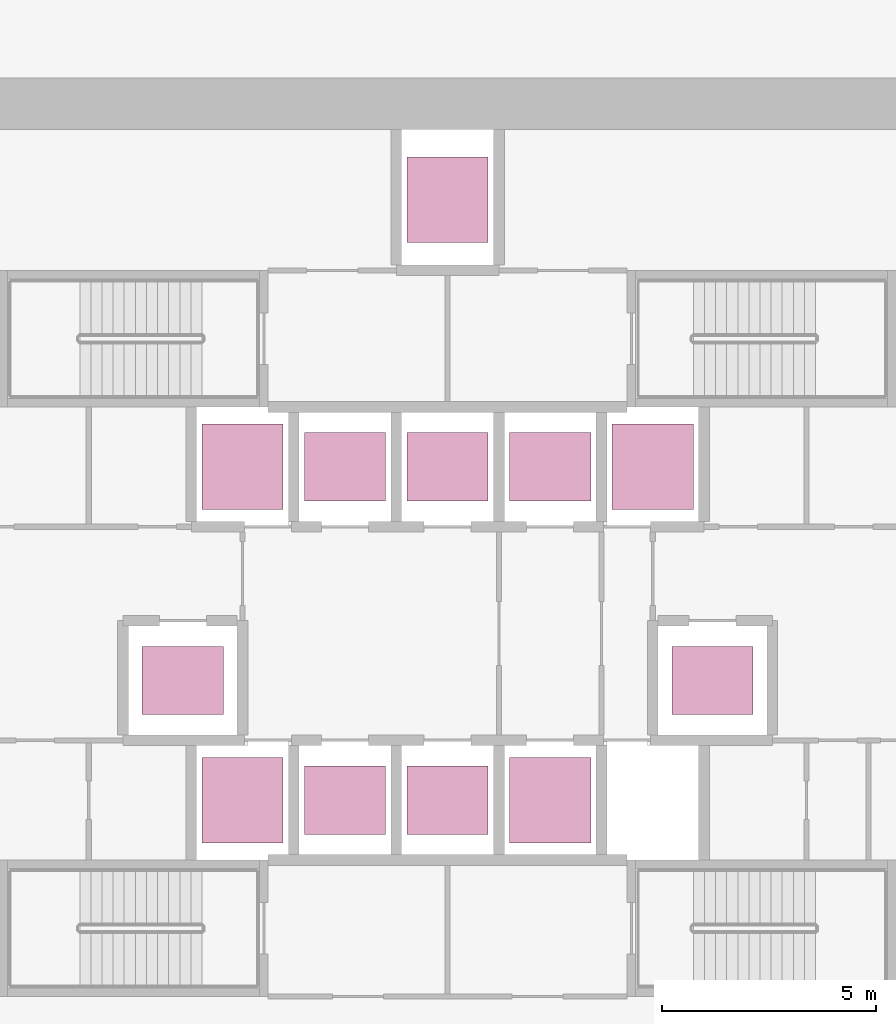
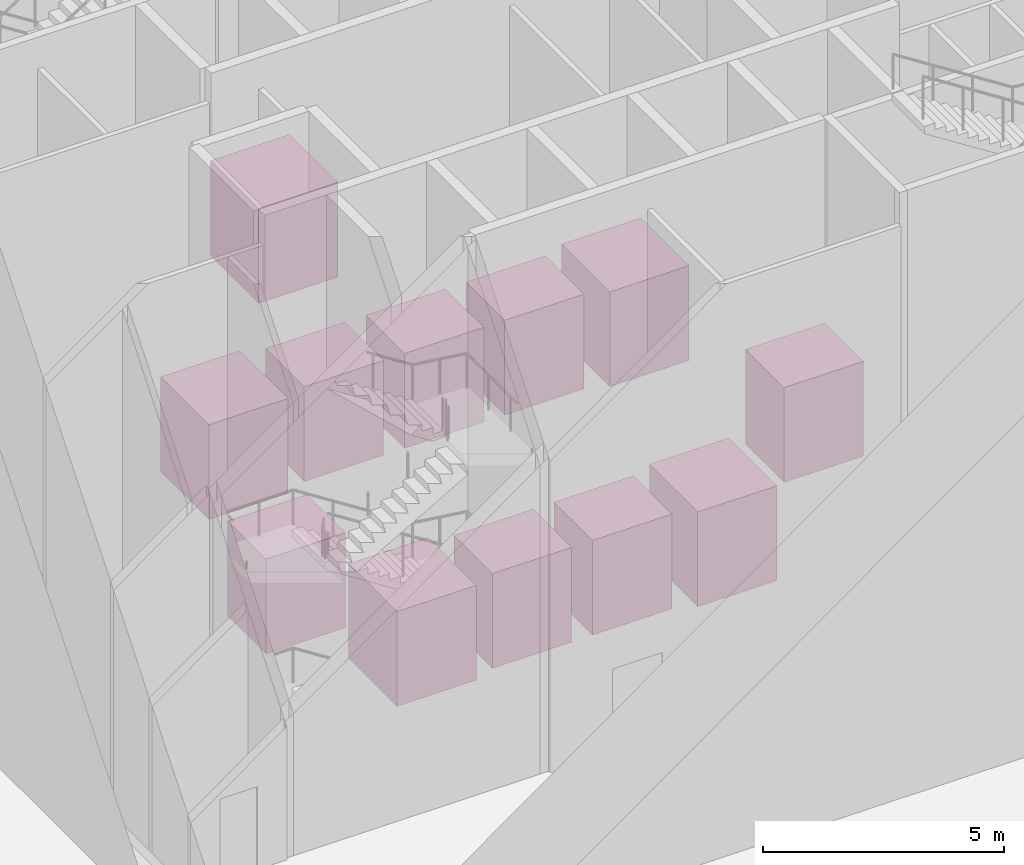
# One storey, part 25 of 25: 12 transport elements.
"""IFC4 building model written with IfcOpenShell, lengths in metres."""

from ifc_helpers import new_model, si_unit, direction, frame, origin, origin_2d, place, context, subcontext, project, spatial, rectangle, extrude, source, transform, mapped, material, type_object, element, save


model = new_model("IFC4")

# Units and contexts
model_context = context("Model", 3, precision=1e-05, world=origin(), true_north=direction((0.0, 1.0)))
body_context = subcontext(model_context, "Body", "Model", "MODEL_VIEW")
ifc_project = project(units=[si_unit("LENGTHUNIT", "METRE"), si_unit("AREAUNIT", "SQUARE_METRE"), si_unit("VOLUMEUNIT", "CUBIC_METRE"), si_unit("PLANEANGLEUNIT", "RADIAN"), si_unit("MASSUNIT", "GRAM", prefix="KILO")], contexts=[model_context])

# Site, building, storey
site_placement = place(None, origin())
site = spatial("IfcSite", under=ifc_project, at=site_placement, CompositionType="ELEMENT")
building_placement = place(site_placement, origin())
building = spatial("IfcBuilding", under=site, at=building_placement, Name="Embergate Tower", CompositionType="ELEMENT")
storey_placement = place(building_placement, origin())
storey = spatial("IfcBuildingStorey", under=building, at=storey_placement, Name="L00", CompositionType="ELEMENT", Elevation=0.0)

# Transport elements
ifc_material_1 = material(Name="Passenger lift Low")
transport_element_type_1 = type_object("IfcTransportElementType", Name="Passenger lift Low", PredefinedType="ELEVATOR", material=ifc_material_1)
shared_shape_1 = source(origin(), body_context, "Body", "SweptSolid", [
    extrude(rectangle(XDim=1.89990234375, YDim=1.60009765625, at=origin_2d()), origin(), (0.0, 0.0, 1.0), 2.39990234375),
])
for number, where, z_axis, x_axis, name in (
    (1, (-2.39990234375, 3.89990234375, 0.0), (0.0, 0.0, 1.0), (1.0, 0.0, 0.0), "Low lift N-1"),
    (2, (0.0, 3.89990234375, 0.0), (0.0, 0.0, 1.0), (1.0, 0.0, 0.0), "Low lift N+0"),
    (3, (2.39990234375, 3.89990234375, 0.0), (0.0, 0.0, 1.0), (1.0, 0.0, 0.0), "Low lift N+1"),
    (4, (-2.39990234375, -3.89990234375, 0.0), (0.0, 0.0, 1.0), (1.0, 0.0, 0.0), "Low lift S-1"),
    (5, (0.0, -3.89990234375, 0.0), (0.0, 0.0, 1.0), (1.0, 0.0, 0.0), "Low lift S+0"),
):
    element("IfcTransportElement", number, at=place(storey_placement, frame(where, z_axis=z_axis, x_axis=x_axis)), inside=storey, type_object=transport_element_type_1, Name=name, PredefinedType="ELEVATOR", context=body_context, shape_type="MappedRepresentation", body=[
        mapped(shared_shape_1, transform((0.0, 0.0, 0.0))),
    ])
ifc_material_2 = material(Name="Fire lift")
transport_element_type_2 = type_object("IfcTransportElementType", Name="Fire lift", PredefinedType="ELEVATOR", material=ifc_material_2)
for number, where, z_axis, x_axis, name in (
    (6, (-6.199951171875, -1.10009765625, 0.0), (0.0, 0.0, 1.0), (1.0, 0.0, 0.0), "Fire lift FFW"),
    (7, (6.199951171875, -1.10009765625, 0.0), (0.0, 0.0, 1.0), (1.0, 0.0, 0.0), "Fire lift FFE"),
):
    element("IfcTransportElement", number, at=place(storey_placement, frame(where, z_axis=z_axis, x_axis=x_axis)), inside=storey, type_object=transport_element_type_2, Name=name, PredefinedType="ELEVATOR", context=body_context, shape_type="MappedRepresentation", body=[
        mapped(shared_shape_1, transform((0.0, 0.0, 0.0))),
    ])
ifc_material_3 = material(Name="Shuttle-1 lift")
transport_element_type_3 = type_object("IfcTransportElementType", Name="Shuttle-1 lift", PredefinedType="ELEVATOR", material=ifc_material_3)
shared_shape_2 = source(origin(), body_context, "Body", "SweptSolid", [
    extrude(rectangle(XDim=1.89990234375, YDim=2.0, at=origin_2d()), origin(), (0.0, 0.0, 1.0), 2.39990234375),
])
transport_element_placement = place(storey_placement, frame((0.0, 10.14990234375, 0.0), z_axis=(0.0, 0.0, 1.0), x_axis=(1.0, 0.0, 0.0)))
element("IfcTransportElement", 8, at=transport_element_placement, inside=storey, type_object=transport_element_type_3, Name="Shuttle-1 lift SH1", PredefinedType="ELEVATOR", context=body_context, shape_type="MappedRepresentation", body=[
    mapped(shared_shape_2, transform((0.0, 0.0, 0.0))),
])
ifc_material_4 = material(Name="Shuttle-2 lift")
transport_element_type_4 = type_object("IfcTransportElementType", Name="Shuttle-2 lift", PredefinedType="ELEVATOR", material=ifc_material_4)
for number, where, z_axis, x_axis, name in (
    (9, (-4.800048828125, 3.89990234375, 0.0), (0.0, 0.0, 1.0), (1.0, 0.0, 0.0), "Shuttle-2 lift N-2"),
    (10, (2.39990234375, -3.89990234375, 0.0), (0.0, 0.0, 1.0), (1.0, 0.0, 0.0), "Shuttle-2 lift S+1"),
):
    element("IfcTransportElement", number, at=place(storey_placement, frame(where, z_axis=z_axis, x_axis=x_axis)), inside=storey, type_object=transport_element_type_4, Name=name, PredefinedType="ELEVATOR", context=body_context, shape_type="MappedRepresentation", body=[
        mapped(shared_shape_2, transform((0.0, 0.0, 0.0))),
    ])
ifc_material_5 = material(Name="Express lift")
transport_element_type_5 = type_object("IfcTransportElementType", Name="Express lift", PredefinedType="ELEVATOR", material=ifc_material_5)
for number, where, z_axis, x_axis, name in (
    (11, (4.800048828125, 3.89990234375, 0.0), (0.0, 0.0, 1.0), (1.0, 0.0, 0.0), "Express lift N+2"),
    (12, (-4.800048828125, -3.89990234375, 0.0), (0.0, 0.0, 1.0), (1.0, 0.0, 0.0), "Express lift S-2"),
):
    element("IfcTransportElement", number, at=place(storey_placement, frame(where, z_axis=z_axis, x_axis=x_axis)), inside=storey, type_object=transport_element_type_5, Name=name, PredefinedType="ELEVATOR", context=body_context, shape_type="MappedRepresentation", body=[
        mapped(shared_shape_2, transform((0.0, 0.0, 0.0))),
    ])

save(model, "model.ifc")
